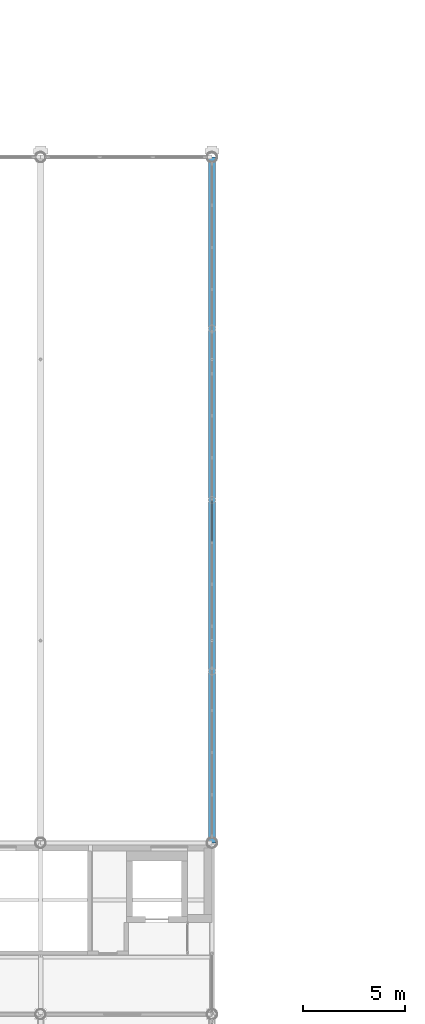
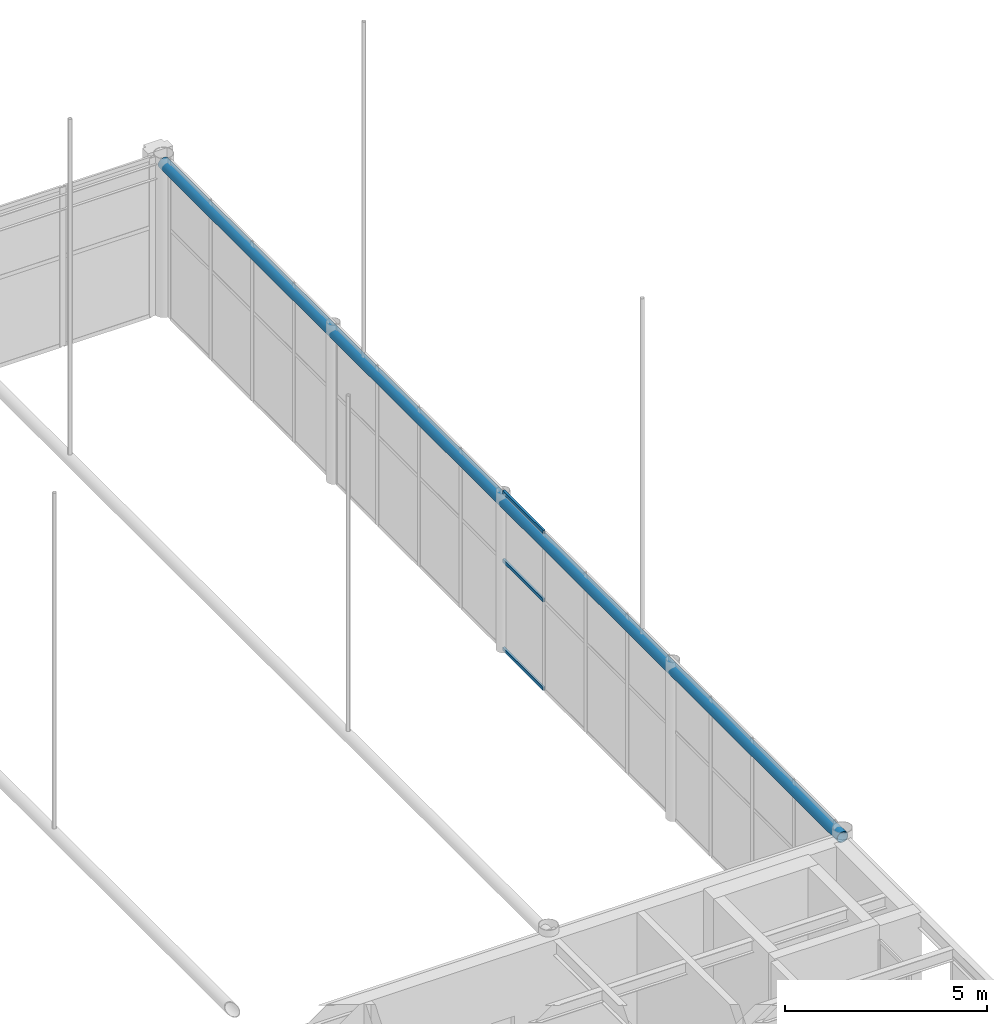
# One storey, part 111 of 167: 3 members, 1 beam, 1 element without a shape of its own.
"""IFC4 building model written with IfcOpenShell, lengths in metres."""

from ifc_helpers import new_model, si_unit, direction, frame, origin, origin_2d, place, context, subcontext, project, spatial, hollow_rectangle, hollow_circle, extrude, material, material_profile, profile_set, type_object, element, aggregate, save


model = new_model("IFC4")

# Units and contexts
model_context = context("Model", 3, precision=1e-05, world=origin(), true_north=direction((0.0, 1.0)))
body_context = subcontext(model_context, "Body", "Model", "MODEL_VIEW")
ifc_project = project(units=[si_unit("LENGTHUNIT", "METRE"), si_unit("AREAUNIT", "SQUARE_METRE"), si_unit("VOLUMEUNIT", "CUBIC_METRE"), si_unit("PLANEANGLEUNIT", "RADIAN"), si_unit("MASSUNIT", "GRAM", prefix="KILO")], contexts=[model_context])

# Site, building, storey
site_placement = place(None, origin())
site = spatial("IfcSite", under=ifc_project, at=site_placement, CompositionType="ELEMENT")
building_placement = place(site_placement, origin())
building = spatial("IfcBuilding", under=site, at=building_placement, Name="Catenary Quay Ferry Terminal", CompositionType="ELEMENT")
storey_placement = place(building_placement, frame((0.0, 0.0, 6.0)))
storey = spatial("IfcBuildingStorey", under=building, at=storey_placement, Name="L01", CompositionType="ELEMENT", Elevation=6.0)

# Beam
ifc_material_1 = material(Name="Steel S355", Category="steel")
ifc_material_profile_1 = material_profile(ifc_material_1, hollow_circle(Radius=0.161865234375, WallThickness=0.01611328125, at=origin_2d()), Name="CHS 323.9x16")
ifc_profile_set_1 = profile_set([ifc_material_profile_1], Name="Steel S355")
beam_type = type_object("IfcBeamType", Name="TB3 CHS 323.9x16", PredefinedType="BEAM", material=ifc_profile_set_1)
beam_placement = place(storey_placement, frame((92.39990234375, 109.199951171875, 4.5), z_axis=(0.0, 1.0, 0.0), x_axis=(-1.0, 0.0, 0.0)))
element("IfcBeam", 1, at=beam_placement, inside=storey, type_object=beam_type, Name="Vault tie beam VD-09", PredefinedType="BEAM", context=body_context, shape_type="SweptSolid", body=[
    extrude(hollow_circle(Radius=0.161865234375, WallThickness=0.01611328125, at=origin_2d()), origin(), (0.0, 0.0, 1.0), 33.60009765625),
])

# Curtain wall, members
ifc_material_2 = material(Name="Aluminium and glass", Category="aluminium")
curtain_wall_type = type_object("IfcCurtainWallType", Name="CWG", PredefinedType="NOTDEFINED", material=ifc_material_2)
curtain_wall_placement = place(storey_placement, origin())
curtain_wall = element("IfcCurtainWall", 2, at=curtain_wall_placement, inside=storey, type_object=curtain_wall_type, Name="Gable departure hall curtain wall CW20", PredefinedType="NOTDEFINED")
ifc_material_3 = material(Name="Aluminium", Category="aluminium")
ifc_material_profile_2 = material_profile(ifc_material_3, hollow_rectangle(XDim=0.06005859375, YDim=0.10009765625, WallThickness=0.0048828125, at=origin_2d()), Name="TR2")
ifc_profile_set_2 = profile_set([ifc_material_profile_2], Name="Aluminium")
member_type = type_object("IfcMemberType", Name="TR2", PredefinedType="USERDEFINED", material=ifc_profile_set_2)
member_1_placement = place(storey_placement, frame((92.39990234375, 123.967529296875, 0.030029296875), z_axis=(0.0, 1.0, 0.0), x_axis=(-1.0, 0.0, 0.0)))
member_1 = element("IfcMember", 3, at=member_1_placement, type_object=member_type, Name="CW20 transom 8.1", ObjectType="TRANSOM", PredefinedType="USERDEFINED", context=body_context, shape_type="SweptSolid", body=[
    extrude(hollow_rectangle(XDim=0.06005859375, YDim=0.10009765625, WallThickness=0.0048828125, at=origin_2d()), origin(), (0.0, 0.0, 1.0), 2.00244140625),
])
member_2_placement = place(storey_placement, frame((92.39990234375, 123.967529296875, 2.699951171875), z_axis=(0.0, 1.0, 0.0), x_axis=(-1.0, 0.0, 0.0)))
member_2 = element("IfcMember", 4, at=member_2_placement, type_object=member_type, Name="CW20 transom 8.2", ObjectType="TRANSOM", PredefinedType="USERDEFINED", context=body_context, shape_type="SweptSolid", body=[
    extrude(hollow_rectangle(XDim=0.06005859375, YDim=0.10009765625, WallThickness=0.0048828125, at=origin_2d()), origin(), (0.0, 0.0, 1.0), 2.00244140625),
])
member_3_placement = place(storey_placement, frame((92.39990234375, 123.967529296875, 4.77001953125), z_axis=(0.0, 1.0, 0.0), x_axis=(-1.0, 0.0, 0.0)))
member_3 = element("IfcMember", 5, at=member_3_placement, type_object=member_type, Name="CW20 transom 8.3", ObjectType="TRANSOM", PredefinedType="USERDEFINED", context=body_context, shape_type="SweptSolid", body=[
    extrude(hollow_rectangle(XDim=0.06005859375, YDim=0.10009765625, WallThickness=0.0048828125, at=origin_2d()), origin(), (0.0, 0.0, 1.0), 2.00244140625),
])
aggregate(curtain_wall, [member_1, member_2, member_3])

save(model, "model.ifc")
